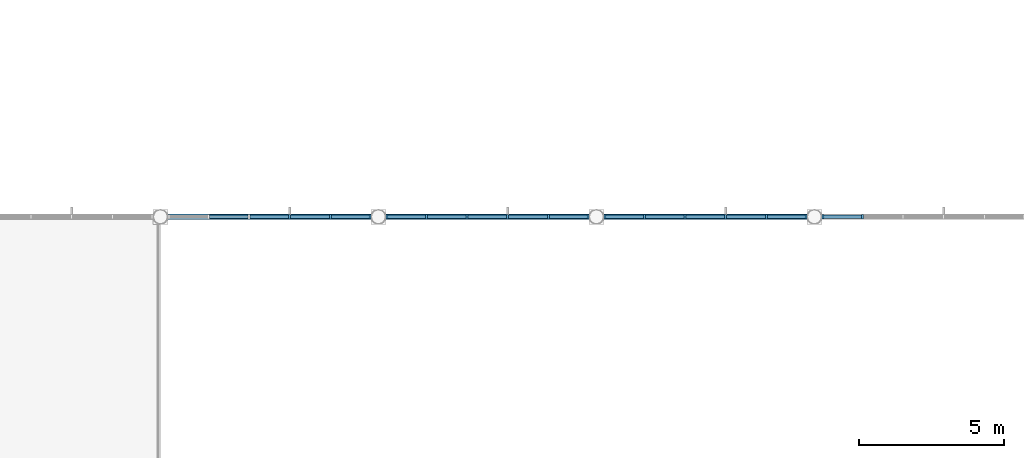
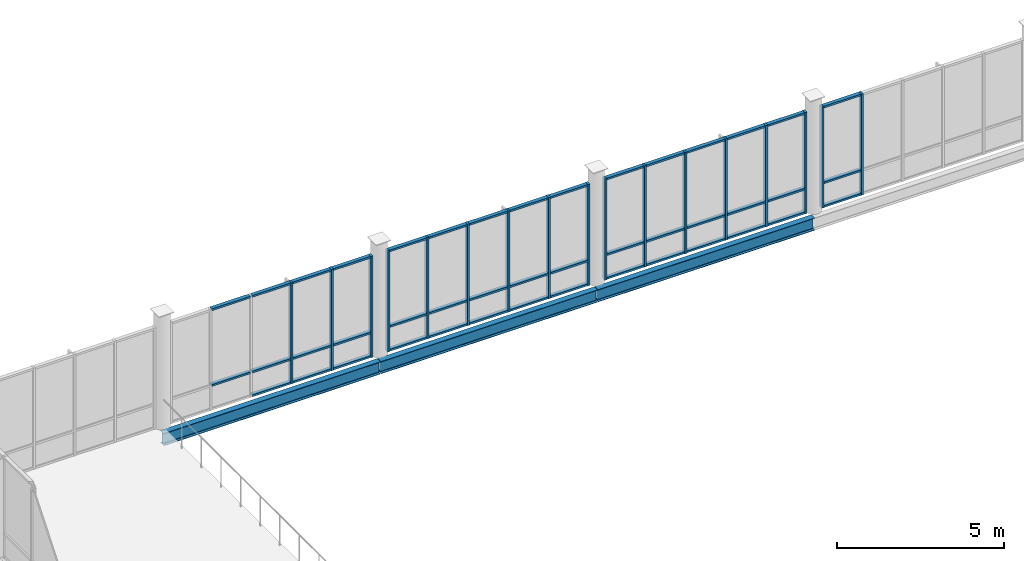
# One storey, part 19 of 75: 61 members, 3 beams, 4 elements without a shape of their own.
"""IFC4 building model written with IfcOpenShell, lengths in metres."""

from ifc_helpers import new_model, si_unit, direction, frame, origin, origin_2d, place, context, subcontext, project, spatial, rectangle, i_section, extrude, material, layer, layer_set, material_profile, profile_set, type_object, element, aggregate, save


model = new_model("IFC4")

# Units and contexts
model_context = context("Model", 3, precision=1e-05, world=origin(), true_north=direction((0.0, 1.0)))
body_context = subcontext(model_context, "Body", "Model", "MODEL_VIEW")
ifc_project = project(units=[si_unit("LENGTHUNIT", "METRE"), si_unit("AREAUNIT", "SQUARE_METRE"), si_unit("VOLUMEUNIT", "CUBIC_METRE"), si_unit("PLANEANGLEUNIT", "RADIAN"), si_unit("MASSUNIT", "GRAM", prefix="KILO")], contexts=[model_context])

# Site, building, storey
site_placement = place(None, origin())
site = spatial("IfcSite", under=ifc_project, at=site_placement, CompositionType="ELEMENT")
building_placement = place(site_placement, origin())
building = spatial("IfcBuilding", under=site, at=building_placement, Name="Yukiwa Park Conservatory and Herbarium", CompositionType="ELEMENT")
storey_placement = place(building_placement, frame((0.0, 0.0, 4.800048828125)))
storey = spatial("IfcBuildingStorey", under=building, at=storey_placement, Name="L01", CompositionType="ELEMENT", Elevation=4.800048828125)

# Beams
ifc_material_1 = material(Name="Steel Q355D", Category="steel")
ifc_material_profile = material_profile(ifc_material_1, i_section(OverallWidth=0.199951171875, OverallDepth=0.449951171875, WebThickness=0.009033203125, FlangeThickness=0.013916015625, FilletRadius=0.01806640625, at=origin_2d()), Name="HN 450x200x9x14")
ifc_profile_set = profile_set([ifc_material_profile], Name="Steel Q355D")
beam_type = type_object("IfcBeamType", Name="BM-GRD-HN450", PredefinedType="BEAM", material=ifc_profile_set)
for number, where, z_axis, x_axis, name in (
    (1, (7.506103515625, 31.199951171875, -0.465087890625), (1.0, 0.0, 0.0), (0.0, 1.0, 0.0), "L01 grid beam X-19"),
    (2, (15.006103515625, 31.199951171875, -0.465087890625), (1.0, 0.0, 0.0), (0.0, 1.0, 0.0), "L01 grid beam X-20"),
    (3, (22.506103515625, 31.199951171875, -0.465087890625), (1.0, 0.0, 0.0), (0.0, 1.0, 0.0), "L01 grid beam X-21"),
):
    element("IfcBeam", number, at=place(storey_placement, frame(where, z_axis=z_axis, x_axis=x_axis)), inside=storey, type_object=beam_type, Name=name, PredefinedType="BEAM", context=body_context, shape_type="SweptSolid", body=[
        extrude(i_section(OverallWidth=0.199951171875, OverallDepth=0.449951171875, WebThickness=0.009033203125, FlangeThickness=0.013916015625, FilletRadius=0.01806640625, at=origin_2d()), origin(), (0.0, 0.0, 1.0), 7.48779296875),
    ])

# Curtain wall, members
ifc_material_2 = material(Name="Triple Low-E Insulated Glass", Category="glass")
ifc_layer = layer(ifc_material_2, 0.152099609375)
ifc_layer_set = layer_set([ifc_layer], Name="Triple Low-E Insulated Glass")
curtain_wall_type = type_object("IfcCurtainWallType", Name="CW-CONSERVATORY-1500", PredefinedType="NOTDEFINED", material=ifc_layer_set)
curtain_wall_1_placement = place(storey_placement, origin())
curtain_wall_1 = element("IfcCurtainWall", 4, at=curtain_wall_1_placement, inside=storey, type_object=curtain_wall_type, Name="L01 unitised curtain wall CW-L01-053", PredefinedType="NOTDEFINED")
ifc_material_3 = material(Name="Anodised Aluminium", Category="aluminium")
member_type_1 = type_object("IfcMemberType", Name="MB-CW-MUL-70X150", PredefinedType="MULLION", material=ifc_material_3)
member_1_placement = place(storey_placement, frame((31.65234375, 31.199951171875, 0.0), z_axis=(0.0, 0.0, 1.0), x_axis=(-1.0, 0.0, 0.0)))
member_1 = element("IfcMember", 5, at=member_1_placement, type_object=member_type_1, Name="CW-L01-053 mullion 5", PredefinedType="MULLION", context=body_context, shape_type="SweptSolid", body=[
    extrude(rectangle(XDim=0.070068359375, YDim=0.14990234375, at=origin_2d()), origin(), (0.0, 0.0, 1.0), 3.699951171875),
])
member_2_placement = place(storey_placement, frame((30.2890625, 31.199951171875, 0.0), z_axis=(0.0, 0.0, 1.0), x_axis=(-1.0, 0.0, 0.0)))
member_2 = element("IfcMember", 6, at=member_2_placement, type_object=member_type_1, Name="CW-L01-053 mullion 6", PredefinedType="MULLION", context=body_context, shape_type="SweptSolid", body=[
    extrude(rectangle(XDim=0.070068359375, YDim=0.14990234375, at=origin_2d()), origin(), (0.0, 0.0, 1.0), 3.699951171875),
])

curtain_wall_2_placement = place(storey_placement, origin())
curtain_wall_2 = element("IfcCurtainWall", 7, at=curtain_wall_2_placement, inside=storey, type_object=curtain_wall_type, Name="L01 unitised curtain wall CW-L01-054", PredefinedType="NOTDEFINED")
member_3_placement = place(storey_placement, frame((29.7109375, 31.199951171875, 0.0), z_axis=(0.0, 0.0, 1.0), x_axis=(-1.0, 0.0, 0.0)))
member_3 = element("IfcMember", 8, at=member_3_placement, type_object=member_type_1, Name="CW-L01-054 mullion 1", PredefinedType="MULLION", context=body_context, shape_type="SweptSolid", body=[
    extrude(rectangle(XDim=0.070068359375, YDim=0.14990234375, at=origin_2d()), origin(), (0.0, 0.0, 1.0), 3.699951171875),
])
member_4_placement = place(storey_placement, frame((28.34765625, 31.199951171875, 0.0), z_axis=(0.0, 0.0, 1.0), x_axis=(-1.0, 0.0, 0.0)))
member_4 = element("IfcMember", 9, at=member_4_placement, type_object=member_type_1, Name="CW-L01-054 mullion 2", PredefinedType="MULLION", context=body_context, shape_type="SweptSolid", body=[
    extrude(rectangle(XDim=0.070068359375, YDim=0.14990234375, at=origin_2d()), origin(), (0.0, 0.0, 1.0), 3.699951171875),
])
member_5_placement = place(storey_placement, frame((26.94921875, 31.199951171875, 0.0), z_axis=(0.0, 0.0, 1.0), x_axis=(-1.0, 0.0, 0.0)))
member_5 = element("IfcMember", 10, at=member_5_placement, type_object=member_type_1, Name="CW-L01-054 mullion 3", PredefinedType="MULLION", context=body_context, shape_type="SweptSolid", body=[
    extrude(rectangle(XDim=0.070068359375, YDim=0.14990234375, at=origin_2d()), origin(), (0.0, 0.0, 1.0), 3.699951171875),
])
member_6_placement = place(storey_placement, frame((25.55078125, 31.199951171875, 0.0), z_axis=(0.0, 0.0, 1.0), x_axis=(-1.0, 0.0, 0.0)))
member_6 = element("IfcMember", 11, at=member_6_placement, type_object=member_type_1, Name="CW-L01-054 mullion 4", PredefinedType="MULLION", context=body_context, shape_type="SweptSolid", body=[
    extrude(rectangle(XDim=0.070068359375, YDim=0.14990234375, at=origin_2d()), origin(), (0.0, 0.0, 1.0), 3.699951171875),
])
member_7_placement = place(storey_placement, frame((24.15234375, 31.199951171875, 0.0), z_axis=(0.0, 0.0, 1.0), x_axis=(-1.0, 0.0, 0.0)))
member_7 = element("IfcMember", 12, at=member_7_placement, type_object=member_type_1, Name="CW-L01-054 mullion 5", PredefinedType="MULLION", context=body_context, shape_type="SweptSolid", body=[
    extrude(rectangle(XDim=0.070068359375, YDim=0.14990234375, at=origin_2d()), origin(), (0.0, 0.0, 1.0), 3.699951171875),
])
member_8_placement = place(storey_placement, frame((22.7890625, 31.199951171875, 0.0), z_axis=(0.0, 0.0, 1.0), x_axis=(-1.0, 0.0, 0.0)))
member_8 = element("IfcMember", 13, at=member_8_placement, type_object=member_type_1, Name="CW-L01-054 mullion 6", PredefinedType="MULLION", context=body_context, shape_type="SweptSolid", body=[
    extrude(rectangle(XDim=0.070068359375, YDim=0.14990234375, at=origin_2d()), origin(), (0.0, 0.0, 1.0), 3.699951171875),
])

curtain_wall_3_placement = place(storey_placement, origin())
curtain_wall_3 = element("IfcCurtainWall", 14, at=curtain_wall_3_placement, inside=storey, type_object=curtain_wall_type, Name="L01 unitised curtain wall CW-L01-055", PredefinedType="NOTDEFINED")
member_9_placement = place(storey_placement, frame((22.2109375, 31.199951171875, 0.0), z_axis=(0.0, 0.0, 1.0), x_axis=(-1.0, 0.0, 0.0)))
member_9 = element("IfcMember", 15, at=member_9_placement, type_object=member_type_1, Name="CW-L01-055 mullion 1", PredefinedType="MULLION", context=body_context, shape_type="SweptSolid", body=[
    extrude(rectangle(XDim=0.070068359375, YDim=0.14990234375, at=origin_2d()), origin(), (0.0, 0.0, 1.0), 3.699951171875),
])
member_10_placement = place(storey_placement, frame((20.84765625, 31.199951171875, 0.0), z_axis=(0.0, 0.0, 1.0), x_axis=(-1.0, 0.0, 0.0)))
member_10 = element("IfcMember", 16, at=member_10_placement, type_object=member_type_1, Name="CW-L01-055 mullion 2", PredefinedType="MULLION", context=body_context, shape_type="SweptSolid", body=[
    extrude(rectangle(XDim=0.070068359375, YDim=0.14990234375, at=origin_2d()), origin(), (0.0, 0.0, 1.0), 3.699951171875),
])
member_11_placement = place(storey_placement, frame((19.44921875, 31.199951171875, 0.0), z_axis=(0.0, 0.0, 1.0), x_axis=(-1.0, 0.0, 0.0)))
member_11 = element("IfcMember", 17, at=member_11_placement, type_object=member_type_1, Name="CW-L01-055 mullion 3", PredefinedType="MULLION", context=body_context, shape_type="SweptSolid", body=[
    extrude(rectangle(XDim=0.070068359375, YDim=0.14990234375, at=origin_2d()), origin(), (0.0, 0.0, 1.0), 3.699951171875),
])
member_12_placement = place(storey_placement, frame((18.05078125, 31.199951171875, 0.0), z_axis=(0.0, 0.0, 1.0), x_axis=(-1.0, 0.0, 0.0)))
member_12 = element("IfcMember", 18, at=member_12_placement, type_object=member_type_1, Name="CW-L01-055 mullion 4", PredefinedType="MULLION", context=body_context, shape_type="SweptSolid", body=[
    extrude(rectangle(XDim=0.070068359375, YDim=0.14990234375, at=origin_2d()), origin(), (0.0, 0.0, 1.0), 3.699951171875),
])
member_13_placement = place(storey_placement, frame((16.65234375, 31.199951171875, 0.0), z_axis=(0.0, 0.0, 1.0), x_axis=(-1.0, 0.0, 0.0)))
member_13 = element("IfcMember", 19, at=member_13_placement, type_object=member_type_1, Name="CW-L01-055 mullion 5", PredefinedType="MULLION", context=body_context, shape_type="SweptSolid", body=[
    extrude(rectangle(XDim=0.070068359375, YDim=0.14990234375, at=origin_2d()), origin(), (0.0, 0.0, 1.0), 3.699951171875),
])
member_14_placement = place(storey_placement, frame((15.2890625, 31.199951171875, 0.0), z_axis=(0.0, 0.0, 1.0), x_axis=(-1.0, 0.0, 0.0)))
member_14 = element("IfcMember", 20, at=member_14_placement, type_object=member_type_1, Name="CW-L01-055 mullion 6", PredefinedType="MULLION", context=body_context, shape_type="SweptSolid", body=[
    extrude(rectangle(XDim=0.070068359375, YDim=0.14990234375, at=origin_2d()), origin(), (0.0, 0.0, 1.0), 3.699951171875),
])

curtain_wall_4_placement = place(storey_placement, origin())
curtain_wall_4 = element("IfcCurtainWall", 21, at=curtain_wall_4_placement, inside=storey, type_object=curtain_wall_type, Name="L01 unitised curtain wall CW-L01-056", PredefinedType="NOTDEFINED")
member_15_placement = place(storey_placement, frame((14.7109375, 31.199951171875, 0.0), z_axis=(0.0, 0.0, 1.0), x_axis=(-1.0, 0.0, 0.0)))
member_15 = element("IfcMember", 22, at=member_15_placement, type_object=member_type_1, Name="CW-L01-056 mullion 1", PredefinedType="MULLION", context=body_context, shape_type="SweptSolid", body=[
    extrude(rectangle(XDim=0.070068359375, YDim=0.14990234375, at=origin_2d()), origin(), (0.0, 0.0, 1.0), 3.699951171875),
])
member_16_placement = place(storey_placement, frame((13.34765625, 31.199951171875, 0.0), z_axis=(0.0, 0.0, 1.0), x_axis=(-1.0, 0.0, 0.0)))
member_16 = element("IfcMember", 23, at=member_16_placement, type_object=member_type_1, Name="CW-L01-056 mullion 2", PredefinedType="MULLION", context=body_context, shape_type="SweptSolid", body=[
    extrude(rectangle(XDim=0.070068359375, YDim=0.14990234375, at=origin_2d()), origin(), (0.0, 0.0, 1.0), 3.699951171875),
])
member_17_placement = place(storey_placement, frame((11.94921875, 31.199951171875, 0.0), z_axis=(0.0, 0.0, 1.0), x_axis=(-1.0, 0.0, 0.0)))
member_17 = element("IfcMember", 24, at=member_17_placement, type_object=member_type_1, Name="CW-L01-056 mullion 3", PredefinedType="MULLION", context=body_context, shape_type="SweptSolid", body=[
    extrude(rectangle(XDim=0.070068359375, YDim=0.14990234375, at=origin_2d()), origin(), (0.0, 0.0, 1.0), 3.699951171875),
])

# Member
ifc_material_4 = material(Name="Anodised Aluminium", Category="aluminium")
member_type_2 = type_object("IfcMemberType", Name="MB-CW-TRN-70X130", PredefinedType="USERDEFINED", material=ifc_material_4)
member_18_placement = place(storey_placement, frame((30.953125, 31.199951171875, 0.0), z_axis=(0.0, 0.0, 1.0), x_axis=(-1.0, 0.0, 0.0)))
member_18 = element("IfcMember", 25, at=member_18_placement, type_object=member_type_2, Name="CW-L01-053 transom 5.1", ObjectType="TRANSOM", PredefinedType="USERDEFINED", context=body_context, shape_type="SweptSolid", body=[
    extrude(rectangle(XDim=1.328369140625, YDim=0.1298828125, at=origin_2d()), origin(), (0.0, 0.0, 1.0), 0.070068359375),
])

member_19_placement = place(storey_placement, frame((30.953125, 31.199951171875, 0.86474609375), z_axis=(0.0, 0.0, 1.0), x_axis=(-1.0, 0.0, 0.0)))
member_19 = element("IfcMember", 26, at=member_19_placement, type_object=member_type_2, Name="CW-L01-053 transom 5.2", ObjectType="TRANSOM", PredefinedType="USERDEFINED", context=body_context, shape_type="SweptSolid", body=[
    extrude(rectangle(XDim=1.328369140625, YDim=0.1298828125, at=origin_2d()), origin(), (0.0, 0.0, 1.0), 0.070068359375),
])

member_20_placement = place(storey_placement, frame((30.953125, 31.199951171875, 3.6298828125), z_axis=(0.0, 0.0, 1.0), x_axis=(-1.0, 0.0, 0.0)))
member_20 = element("IfcMember", 27, at=member_20_placement, type_object=member_type_2, Name="CW-L01-053 transom 5.3", ObjectType="TRANSOM", PredefinedType="USERDEFINED", context=body_context, shape_type="SweptSolid", body=[
    extrude(rectangle(XDim=1.328369140625, YDim=0.1298828125, at=origin_2d()), origin(), (0.0, 0.0, 1.0), 0.070068359375),
])

aggregate(curtain_wall_1, [member_1, member_2, member_18, member_19, member_20])

member_21_placement = place(storey_placement, frame((29.046875, 31.199951171875, 0.0), z_axis=(0.0, 0.0, 1.0), x_axis=(-1.0, 0.0, 0.0)))
member_21 = element("IfcMember", 28, at=member_21_placement, type_object=member_type_2, Name="CW-L01-054 transom 1.1", ObjectType="TRANSOM", PredefinedType="USERDEFINED", context=body_context, shape_type="SweptSolid", body=[
    extrude(rectangle(XDim=1.328369140625, YDim=0.1298828125, at=origin_2d()), origin(), (0.0, 0.0, 1.0), 0.070068359375),
])

member_22_placement = place(storey_placement, frame((29.046875, 31.199951171875, 0.86474609375), z_axis=(0.0, 0.0, 1.0), x_axis=(-1.0, 0.0, 0.0)))
member_22 = element("IfcMember", 29, at=member_22_placement, type_object=member_type_2, Name="CW-L01-054 transom 1.2", ObjectType="TRANSOM", PredefinedType="USERDEFINED", context=body_context, shape_type="SweptSolid", body=[
    extrude(rectangle(XDim=1.328369140625, YDim=0.1298828125, at=origin_2d()), origin(), (0.0, 0.0, 1.0), 0.070068359375),
])

member_23_placement = place(storey_placement, frame((29.046875, 31.199951171875, 3.6298828125), z_axis=(0.0, 0.0, 1.0), x_axis=(-1.0, 0.0, 0.0)))
member_23 = element("IfcMember", 30, at=member_23_placement, type_object=member_type_2, Name="CW-L01-054 transom 1.3", ObjectType="TRANSOM", PredefinedType="USERDEFINED", context=body_context, shape_type="SweptSolid", body=[
    extrude(rectangle(XDim=1.328369140625, YDim=0.1298828125, at=origin_2d()), origin(), (0.0, 0.0, 1.0), 0.070068359375),
])

member_24_placement = place(storey_placement, frame((27.6484375, 31.199951171875, 0.0), z_axis=(0.0, 0.0, 1.0), x_axis=(-1.0, 0.0, 0.0)))
member_24 = element("IfcMember", 31, at=member_24_placement, type_object=member_type_2, Name="CW-L01-054 transom 2.1", ObjectType="TRANSOM", PredefinedType="USERDEFINED", context=body_context, shape_type="SweptSolid", body=[
    extrude(rectangle(XDim=1.328369140625, YDim=0.1298828125, at=origin_2d()), origin(), (0.0, 0.0, 1.0), 0.070068359375),
])

member_25_placement = place(storey_placement, frame((27.6484375, 31.199951171875, 0.86474609375), z_axis=(0.0, 0.0, 1.0), x_axis=(-1.0, 0.0, 0.0)))
member_25 = element("IfcMember", 32, at=member_25_placement, type_object=member_type_2, Name="CW-L01-054 transom 2.2", ObjectType="TRANSOM", PredefinedType="USERDEFINED", context=body_context, shape_type="SweptSolid", body=[
    extrude(rectangle(XDim=1.328369140625, YDim=0.1298828125, at=origin_2d()), origin(), (0.0, 0.0, 1.0), 0.070068359375),
])

member_26_placement = place(storey_placement, frame((27.6484375, 31.199951171875, 3.6298828125), z_axis=(0.0, 0.0, 1.0), x_axis=(-1.0, 0.0, 0.0)))
member_26 = element("IfcMember", 33, at=member_26_placement, type_object=member_type_2, Name="CW-L01-054 transom 2.3", ObjectType="TRANSOM", PredefinedType="USERDEFINED", context=body_context, shape_type="SweptSolid", body=[
    extrude(rectangle(XDim=1.328369140625, YDim=0.1298828125, at=origin_2d()), origin(), (0.0, 0.0, 1.0), 0.070068359375),
])

member_27_placement = place(storey_placement, frame((26.25, 31.199951171875, 0.0), z_axis=(0.0, 0.0, 1.0), x_axis=(-1.0, 0.0, 0.0)))
member_27 = element("IfcMember", 34, at=member_27_placement, type_object=member_type_2, Name="CW-L01-054 transom 3.1", ObjectType="TRANSOM", PredefinedType="USERDEFINED", context=body_context, shape_type="SweptSolid", body=[
    extrude(rectangle(XDim=1.328369140625, YDim=0.1298828125, at=origin_2d()), origin(), (0.0, 0.0, 1.0), 0.070068359375),
])

member_28_placement = place(storey_placement, frame((26.25, 31.199951171875, 0.86474609375), z_axis=(0.0, 0.0, 1.0), x_axis=(-1.0, 0.0, 0.0)))
member_28 = element("IfcMember", 35, at=member_28_placement, type_object=member_type_2, Name="CW-L01-054 transom 3.2", ObjectType="TRANSOM", PredefinedType="USERDEFINED", context=body_context, shape_type="SweptSolid", body=[
    extrude(rectangle(XDim=1.328369140625, YDim=0.1298828125, at=origin_2d()), origin(), (0.0, 0.0, 1.0), 0.070068359375),
])

member_29_placement = place(storey_placement, frame((26.25, 31.199951171875, 3.6298828125), z_axis=(0.0, 0.0, 1.0), x_axis=(-1.0, 0.0, 0.0)))
member_29 = element("IfcMember", 36, at=member_29_placement, type_object=member_type_2, Name="CW-L01-054 transom 3.3", ObjectType="TRANSOM", PredefinedType="USERDEFINED", context=body_context, shape_type="SweptSolid", body=[
    extrude(rectangle(XDim=1.328369140625, YDim=0.1298828125, at=origin_2d()), origin(), (0.0, 0.0, 1.0), 0.070068359375),
])

member_30_placement = place(storey_placement, frame((24.8515625, 31.199951171875, 0.0), z_axis=(0.0, 0.0, 1.0), x_axis=(-1.0, 0.0, 0.0)))
member_30 = element("IfcMember", 37, at=member_30_placement, type_object=member_type_2, Name="CW-L01-054 transom 4.1", ObjectType="TRANSOM", PredefinedType="USERDEFINED", context=body_context, shape_type="SweptSolid", body=[
    extrude(rectangle(XDim=1.328369140625, YDim=0.1298828125, at=origin_2d()), origin(), (0.0, 0.0, 1.0), 0.070068359375),
])

member_31_placement = place(storey_placement, frame((24.8515625, 31.199951171875, 0.86474609375), z_axis=(0.0, 0.0, 1.0), x_axis=(-1.0, 0.0, 0.0)))
member_31 = element("IfcMember", 38, at=member_31_placement, type_object=member_type_2, Name="CW-L01-054 transom 4.2", ObjectType="TRANSOM", PredefinedType="USERDEFINED", context=body_context, shape_type="SweptSolid", body=[
    extrude(rectangle(XDim=1.328369140625, YDim=0.1298828125, at=origin_2d()), origin(), (0.0, 0.0, 1.0), 0.070068359375),
])

member_32_placement = place(storey_placement, frame((24.8515625, 31.199951171875, 3.6298828125), z_axis=(0.0, 0.0, 1.0), x_axis=(-1.0, 0.0, 0.0)))
member_32 = element("IfcMember", 39, at=member_32_placement, type_object=member_type_2, Name="CW-L01-054 transom 4.3", ObjectType="TRANSOM", PredefinedType="USERDEFINED", context=body_context, shape_type="SweptSolid", body=[
    extrude(rectangle(XDim=1.328369140625, YDim=0.1298828125, at=origin_2d()), origin(), (0.0, 0.0, 1.0), 0.070068359375),
])

member_33_placement = place(storey_placement, frame((23.453125, 31.199951171875, 0.0), z_axis=(0.0, 0.0, 1.0), x_axis=(-1.0, 0.0, 0.0)))
member_33 = element("IfcMember", 40, at=member_33_placement, type_object=member_type_2, Name="CW-L01-054 transom 5.1", ObjectType="TRANSOM", PredefinedType="USERDEFINED", context=body_context, shape_type="SweptSolid", body=[
    extrude(rectangle(XDim=1.328369140625, YDim=0.1298828125, at=origin_2d()), origin(), (0.0, 0.0, 1.0), 0.070068359375),
])

member_34_placement = place(storey_placement, frame((23.453125, 31.199951171875, 0.86474609375), z_axis=(0.0, 0.0, 1.0), x_axis=(-1.0, 0.0, 0.0)))
member_34 = element("IfcMember", 41, at=member_34_placement, type_object=member_type_2, Name="CW-L01-054 transom 5.2", ObjectType="TRANSOM", PredefinedType="USERDEFINED", context=body_context, shape_type="SweptSolid", body=[
    extrude(rectangle(XDim=1.328369140625, YDim=0.1298828125, at=origin_2d()), origin(), (0.0, 0.0, 1.0), 0.070068359375),
])

member_35_placement = place(storey_placement, frame((23.453125, 31.199951171875, 3.6298828125), z_axis=(0.0, 0.0, 1.0), x_axis=(-1.0, 0.0, 0.0)))
member_35 = element("IfcMember", 42, at=member_35_placement, type_object=member_type_2, Name="CW-L01-054 transom 5.3", ObjectType="TRANSOM", PredefinedType="USERDEFINED", context=body_context, shape_type="SweptSolid", body=[
    extrude(rectangle(XDim=1.328369140625, YDim=0.1298828125, at=origin_2d()), origin(), (0.0, 0.0, 1.0), 0.070068359375),
])

aggregate(curtain_wall_2, [member_3, member_4, member_5, member_6, member_7, member_8, member_21, member_22, member_23, member_24, member_25, member_26, member_27, member_28, member_29, member_30, member_31, member_32, member_33, member_34, member_35])

member_36_placement = place(storey_placement, frame((21.546875, 31.199951171875, 0.0), z_axis=(0.0, 0.0, 1.0), x_axis=(-1.0, 0.0, 0.0)))
member_36 = element("IfcMember", 43, at=member_36_placement, type_object=member_type_2, Name="CW-L01-055 transom 1.1", ObjectType="TRANSOM", PredefinedType="USERDEFINED", context=body_context, shape_type="SweptSolid", body=[
    extrude(rectangle(XDim=1.328369140625, YDim=0.1298828125, at=origin_2d()), origin(), (0.0, 0.0, 1.0), 0.070068359375),
])

member_37_placement = place(storey_placement, frame((21.546875, 31.199951171875, 0.86474609375), z_axis=(0.0, 0.0, 1.0), x_axis=(-1.0, 0.0, 0.0)))
member_37 = element("IfcMember", 44, at=member_37_placement, type_object=member_type_2, Name="CW-L01-055 transom 1.2", ObjectType="TRANSOM", PredefinedType="USERDEFINED", context=body_context, shape_type="SweptSolid", body=[
    extrude(rectangle(XDim=1.328369140625, YDim=0.1298828125, at=origin_2d()), origin(), (0.0, 0.0, 1.0), 0.070068359375),
])

member_38_placement = place(storey_placement, frame((21.546875, 31.199951171875, 3.6298828125), z_axis=(0.0, 0.0, 1.0), x_axis=(-1.0, 0.0, 0.0)))
member_38 = element("IfcMember", 45, at=member_38_placement, type_object=member_type_2, Name="CW-L01-055 transom 1.3", ObjectType="TRANSOM", PredefinedType="USERDEFINED", context=body_context, shape_type="SweptSolid", body=[
    extrude(rectangle(XDim=1.328369140625, YDim=0.1298828125, at=origin_2d()), origin(), (0.0, 0.0, 1.0), 0.070068359375),
])

member_39_placement = place(storey_placement, frame((20.1484375, 31.199951171875, 0.0), z_axis=(0.0, 0.0, 1.0), x_axis=(-1.0, 0.0, 0.0)))
member_39 = element("IfcMember", 46, at=member_39_placement, type_object=member_type_2, Name="CW-L01-055 transom 2.1", ObjectType="TRANSOM", PredefinedType="USERDEFINED", context=body_context, shape_type="SweptSolid", body=[
    extrude(rectangle(XDim=1.328369140625, YDim=0.1298828125, at=origin_2d()), origin(), (0.0, 0.0, 1.0), 0.070068359375),
])

member_40_placement = place(storey_placement, frame((20.1484375, 31.199951171875, 0.86474609375), z_axis=(0.0, 0.0, 1.0), x_axis=(-1.0, 0.0, 0.0)))
member_40 = element("IfcMember", 47, at=member_40_placement, type_object=member_type_2, Name="CW-L01-055 transom 2.2", ObjectType="TRANSOM", PredefinedType="USERDEFINED", context=body_context, shape_type="SweptSolid", body=[
    extrude(rectangle(XDim=1.328369140625, YDim=0.1298828125, at=origin_2d()), origin(), (0.0, 0.0, 1.0), 0.070068359375),
])

member_41_placement = place(storey_placement, frame((20.1484375, 31.199951171875, 3.6298828125), z_axis=(0.0, 0.0, 1.0), x_axis=(-1.0, 0.0, 0.0)))
member_41 = element("IfcMember", 48, at=member_41_placement, type_object=member_type_2, Name="CW-L01-055 transom 2.3", ObjectType="TRANSOM", PredefinedType="USERDEFINED", context=body_context, shape_type="SweptSolid", body=[
    extrude(rectangle(XDim=1.328369140625, YDim=0.1298828125, at=origin_2d()), origin(), (0.0, 0.0, 1.0), 0.070068359375),
])

member_42_placement = place(storey_placement, frame((18.75, 31.199951171875, 0.0), z_axis=(0.0, 0.0, 1.0), x_axis=(-1.0, 0.0, 0.0)))
member_42 = element("IfcMember", 49, at=member_42_placement, type_object=member_type_2, Name="CW-L01-055 transom 3.1", ObjectType="TRANSOM", PredefinedType="USERDEFINED", context=body_context, shape_type="SweptSolid", body=[
    extrude(rectangle(XDim=1.328369140625, YDim=0.1298828125, at=origin_2d()), origin(), (0.0, 0.0, 1.0), 0.070068359375),
])

member_43_placement = place(storey_placement, frame((18.75, 31.199951171875, 0.86474609375), z_axis=(0.0, 0.0, 1.0), x_axis=(-1.0, 0.0, 0.0)))
member_43 = element("IfcMember", 50, at=member_43_placement, type_object=member_type_2, Name="CW-L01-055 transom 3.2", ObjectType="TRANSOM", PredefinedType="USERDEFINED", context=body_context, shape_type="SweptSolid", body=[
    extrude(rectangle(XDim=1.328369140625, YDim=0.1298828125, at=origin_2d()), origin(), (0.0, 0.0, 1.0), 0.070068359375),
])

member_44_placement = place(storey_placement, frame((18.75, 31.199951171875, 3.6298828125), z_axis=(0.0, 0.0, 1.0), x_axis=(-1.0, 0.0, 0.0)))
member_44 = element("IfcMember", 51, at=member_44_placement, type_object=member_type_2, Name="CW-L01-055 transom 3.3", ObjectType="TRANSOM", PredefinedType="USERDEFINED", context=body_context, shape_type="SweptSolid", body=[
    extrude(rectangle(XDim=1.328369140625, YDim=0.1298828125, at=origin_2d()), origin(), (0.0, 0.0, 1.0), 0.070068359375),
])

member_45_placement = place(storey_placement, frame((17.3515625, 31.199951171875, 0.0), z_axis=(0.0, 0.0, 1.0), x_axis=(-1.0, 0.0, 0.0)))
member_45 = element("IfcMember", 52, at=member_45_placement, type_object=member_type_2, Name="CW-L01-055 transom 4.1", ObjectType="TRANSOM", PredefinedType="USERDEFINED", context=body_context, shape_type="SweptSolid", body=[
    extrude(rectangle(XDim=1.328369140625, YDim=0.1298828125, at=origin_2d()), origin(), (0.0, 0.0, 1.0), 0.070068359375),
])

member_46_placement = place(storey_placement, frame((17.3515625, 31.199951171875, 0.86474609375), z_axis=(0.0, 0.0, 1.0), x_axis=(-1.0, 0.0, 0.0)))
member_46 = element("IfcMember", 53, at=member_46_placement, type_object=member_type_2, Name="CW-L01-055 transom 4.2", ObjectType="TRANSOM", PredefinedType="USERDEFINED", context=body_context, shape_type="SweptSolid", body=[
    extrude(rectangle(XDim=1.328369140625, YDim=0.1298828125, at=origin_2d()), origin(), (0.0, 0.0, 1.0), 0.070068359375),
])

member_47_placement = place(storey_placement, frame((17.3515625, 31.199951171875, 3.6298828125), z_axis=(0.0, 0.0, 1.0), x_axis=(-1.0, 0.0, 0.0)))
member_47 = element("IfcMember", 54, at=member_47_placement, type_object=member_type_2, Name="CW-L01-055 transom 4.3", ObjectType="TRANSOM", PredefinedType="USERDEFINED", context=body_context, shape_type="SweptSolid", body=[
    extrude(rectangle(XDim=1.328369140625, YDim=0.1298828125, at=origin_2d()), origin(), (0.0, 0.0, 1.0), 0.070068359375),
])

member_48_placement = place(storey_placement, frame((15.953125, 31.199951171875, 0.0), z_axis=(0.0, 0.0, 1.0), x_axis=(-1.0, 0.0, 0.0)))
member_48 = element("IfcMember", 55, at=member_48_placement, type_object=member_type_2, Name="CW-L01-055 transom 5.1", ObjectType="TRANSOM", PredefinedType="USERDEFINED", context=body_context, shape_type="SweptSolid", body=[
    extrude(rectangle(XDim=1.328369140625, YDim=0.1298828125, at=origin_2d()), origin(), (0.0, 0.0, 1.0), 0.070068359375),
])

member_49_placement = place(storey_placement, frame((15.953125, 31.199951171875, 0.86474609375), z_axis=(0.0, 0.0, 1.0), x_axis=(-1.0, 0.0, 0.0)))
member_49 = element("IfcMember", 56, at=member_49_placement, type_object=member_type_2, Name="CW-L01-055 transom 5.2", ObjectType="TRANSOM", PredefinedType="USERDEFINED", context=body_context, shape_type="SweptSolid", body=[
    extrude(rectangle(XDim=1.328369140625, YDim=0.1298828125, at=origin_2d()), origin(), (0.0, 0.0, 1.0), 0.070068359375),
])

member_50_placement = place(storey_placement, frame((15.953125, 31.199951171875, 3.6298828125), z_axis=(0.0, 0.0, 1.0), x_axis=(-1.0, 0.0, 0.0)))
member_50 = element("IfcMember", 57, at=member_50_placement, type_object=member_type_2, Name="CW-L01-055 transom 5.3", ObjectType="TRANSOM", PredefinedType="USERDEFINED", context=body_context, shape_type="SweptSolid", body=[
    extrude(rectangle(XDim=1.328369140625, YDim=0.1298828125, at=origin_2d()), origin(), (0.0, 0.0, 1.0), 0.070068359375),
])

aggregate(curtain_wall_3, [member_9, member_10, member_11, member_12, member_13, member_14, member_36, member_37, member_38, member_39, member_40, member_41, member_42, member_43, member_44, member_45, member_46, member_47, member_48, member_49, member_50])

member_51_placement = place(storey_placement, frame((14.046875, 31.199951171875, 0.0), z_axis=(0.0, 0.0, 1.0), x_axis=(-1.0, 0.0, 0.0)))
member_51 = element("IfcMember", 58, at=member_51_placement, type_object=member_type_2, Name="CW-L01-056 transom 1.1", ObjectType="TRANSOM", PredefinedType="USERDEFINED", context=body_context, shape_type="SweptSolid", body=[
    extrude(rectangle(XDim=1.328369140625, YDim=0.1298828125, at=origin_2d()), origin(), (0.0, 0.0, 1.0), 0.070068359375),
])

member_52_placement = place(storey_placement, frame((14.046875, 31.199951171875, 0.86474609375), z_axis=(0.0, 0.0, 1.0), x_axis=(-1.0, 0.0, 0.0)))
member_52 = element("IfcMember", 59, at=member_52_placement, type_object=member_type_2, Name="CW-L01-056 transom 1.2", ObjectType="TRANSOM", PredefinedType="USERDEFINED", context=body_context, shape_type="SweptSolid", body=[
    extrude(rectangle(XDim=1.328369140625, YDim=0.1298828125, at=origin_2d()), origin(), (0.0, 0.0, 1.0), 0.070068359375),
])

member_53_placement = place(storey_placement, frame((14.046875, 31.199951171875, 3.6298828125), z_axis=(0.0, 0.0, 1.0), x_axis=(-1.0, 0.0, 0.0)))
member_53 = element("IfcMember", 60, at=member_53_placement, type_object=member_type_2, Name="CW-L01-056 transom 1.3", ObjectType="TRANSOM", PredefinedType="USERDEFINED", context=body_context, shape_type="SweptSolid", body=[
    extrude(rectangle(XDim=1.328369140625, YDim=0.1298828125, at=origin_2d()), origin(), (0.0, 0.0, 1.0), 0.070068359375),
])

member_54_placement = place(storey_placement, frame((12.6484375, 31.199951171875, 0.0), z_axis=(0.0, 0.0, 1.0), x_axis=(-1.0, 0.0, 0.0)))
member_54 = element("IfcMember", 61, at=member_54_placement, type_object=member_type_2, Name="CW-L01-056 transom 2.1", ObjectType="TRANSOM", PredefinedType="USERDEFINED", context=body_context, shape_type="SweptSolid", body=[
    extrude(rectangle(XDim=1.328369140625, YDim=0.1298828125, at=origin_2d()), origin(), (0.0, 0.0, 1.0), 0.070068359375),
])

member_55_placement = place(storey_placement, frame((12.6484375, 31.199951171875, 0.86474609375), z_axis=(0.0, 0.0, 1.0), x_axis=(-1.0, 0.0, 0.0)))
member_55 = element("IfcMember", 62, at=member_55_placement, type_object=member_type_2, Name="CW-L01-056 transom 2.2", ObjectType="TRANSOM", PredefinedType="USERDEFINED", context=body_context, shape_type="SweptSolid", body=[
    extrude(rectangle(XDim=1.328369140625, YDim=0.1298828125, at=origin_2d()), origin(), (0.0, 0.0, 1.0), 0.070068359375),
])

member_56_placement = place(storey_placement, frame((12.6484375, 31.199951171875, 3.6298828125), z_axis=(0.0, 0.0, 1.0), x_axis=(-1.0, 0.0, 0.0)))
member_56 = element("IfcMember", 63, at=member_56_placement, type_object=member_type_2, Name="CW-L01-056 transom 2.3", ObjectType="TRANSOM", PredefinedType="USERDEFINED", context=body_context, shape_type="SweptSolid", body=[
    extrude(rectangle(XDim=1.328369140625, YDim=0.1298828125, at=origin_2d()), origin(), (0.0, 0.0, 1.0), 0.070068359375),
])

member_57_placement = place(storey_placement, frame((11.25, 31.199951171875, 0.0), z_axis=(0.0, 0.0, 1.0), x_axis=(-1.0, 0.0, 0.0)))
member_57 = element("IfcMember", 64, at=member_57_placement, type_object=member_type_2, Name="CW-L01-056 transom 3.1", ObjectType="TRANSOM", PredefinedType="USERDEFINED", context=body_context, shape_type="SweptSolid", body=[
    extrude(rectangle(XDim=1.328369140625, YDim=0.1298828125, at=origin_2d()), origin(), (0.0, 0.0, 1.0), 0.070068359375),
])

member_58_placement = place(storey_placement, frame((11.25, 31.199951171875, 0.86474609375), z_axis=(0.0, 0.0, 1.0), x_axis=(-1.0, 0.0, 0.0)))
member_58 = element("IfcMember", 65, at=member_58_placement, type_object=member_type_2, Name="CW-L01-056 transom 3.2", ObjectType="TRANSOM", PredefinedType="USERDEFINED", context=body_context, shape_type="SweptSolid", body=[
    extrude(rectangle(XDim=1.328369140625, YDim=0.1298828125, at=origin_2d()), origin(), (0.0, 0.0, 1.0), 0.070068359375),
])

member_59_placement = place(storey_placement, frame((11.25, 31.199951171875, 3.6298828125), z_axis=(0.0, 0.0, 1.0), x_axis=(-1.0, 0.0, 0.0)))
member_59 = element("IfcMember", 66, at=member_59_placement, type_object=member_type_2, Name="CW-L01-056 transom 3.3", ObjectType="TRANSOM", PredefinedType="USERDEFINED", context=body_context, shape_type="SweptSolid", body=[
    extrude(rectangle(XDim=1.328369140625, YDim=0.1298828125, at=origin_2d()), origin(), (0.0, 0.0, 1.0), 0.070068359375),
])

member_60_placement = place(storey_placement, frame((9.8515625, 31.199951171875, 0.86474609375), z_axis=(0.0, 0.0, 1.0), x_axis=(-1.0, 0.0, 0.0)))
member_60 = element("IfcMember", 67, at=member_60_placement, type_object=member_type_2, Name="CW-L01-056 transom 4.2", ObjectType="TRANSOM", PredefinedType="USERDEFINED", context=body_context, shape_type="SweptSolid", body=[
    extrude(rectangle(XDim=1.328369140625, YDim=0.1298828125, at=origin_2d()), origin(), (0.0, 0.0, 1.0), 0.070068359375),
])

member_61_placement = place(storey_placement, frame((9.8515625, 31.199951171875, 3.6298828125), z_axis=(0.0, 0.0, 1.0), x_axis=(-1.0, 0.0, 0.0)))
member_61 = element("IfcMember", 68, at=member_61_placement, type_object=member_type_2, Name="CW-L01-056 transom 4.3", ObjectType="TRANSOM", PredefinedType="USERDEFINED", context=body_context, shape_type="SweptSolid", body=[
    extrude(rectangle(XDim=1.328369140625, YDim=0.1298828125, at=origin_2d()), origin(), (0.0, 0.0, 1.0), 0.070068359375),
])

aggregate(curtain_wall_4, [member_15, member_16, member_17, member_51, member_52, member_53, member_54, member_55, member_56, member_57, member_58, member_59, member_60, member_61])

save(model, "model.ifc")
